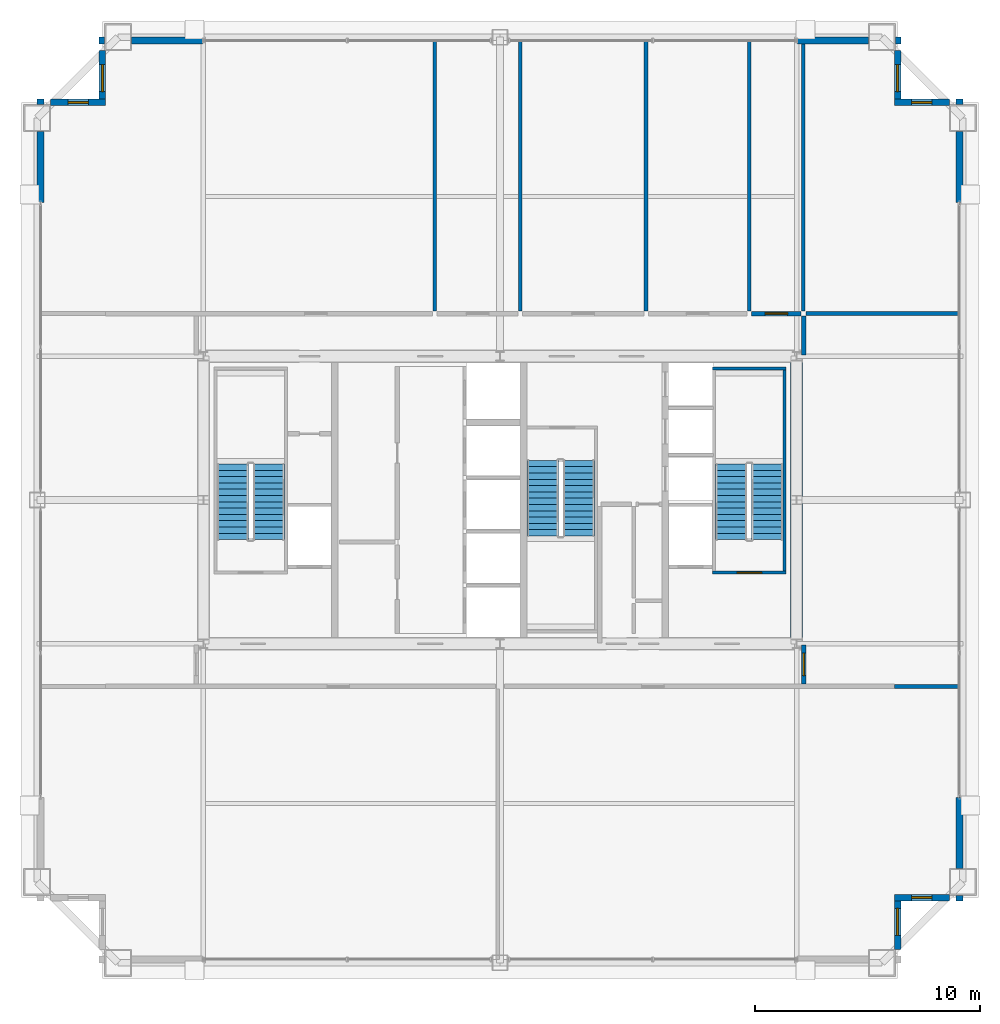
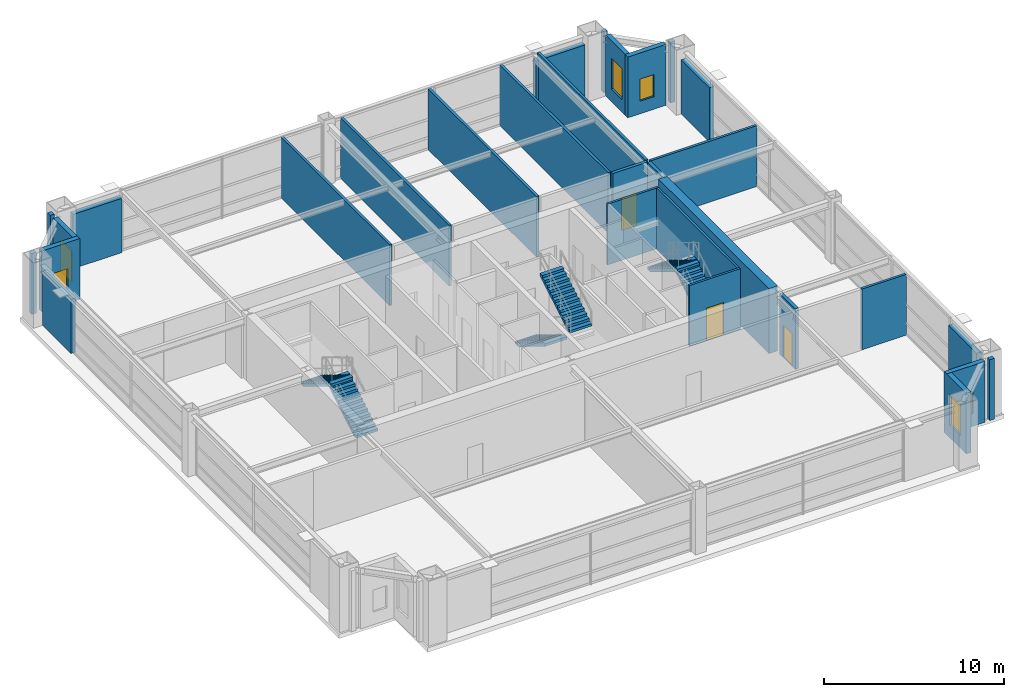
# One storey, part 25 of 26: 30 walls, 6 stair flights, 6 windows, 3 doors, 9 openings, 3 elements without a shape of their own.
"""IFC4 building model written with IfcOpenShell, lengths in metres."""

from ifc_helpers import new_model, si_unit, direction, frame, frame_2d, origin, place, context, subcontext, project, spatial, polyline, rectangle, outline, extrude, source, transform, mapped, material, layer, layer_set, type_object, element, fill, aggregate, save


model = new_model("IFC4")

# Units and contexts
model_context = context("Model", 3, precision=1e-05, world=origin(), true_north=direction((0.0, 1.0)))
body_context = subcontext(model_context, "Body", "Model", "MODEL_VIEW")
ifc_project = project(units=[si_unit("LENGTHUNIT", "METRE"), si_unit("AREAUNIT", "SQUARE_METRE"), si_unit("VOLUMEUNIT", "CUBIC_METRE"), si_unit("PLANEANGLEUNIT", "RADIAN"), si_unit("MASSUNIT", "GRAM", prefix="KILO"), si_unit("THERMODYNAMICTEMPERATUREUNIT", "KELVIN"), si_unit("POWERUNIT", "WATT")], contexts=[model_context])

# Site, building, storey
site_placement = place(None, origin())
site = spatial("IfcSite", under=ifc_project, at=site_placement, CompositionType="ELEMENT")
building_placement = place(site_placement, origin())
building = spatial("IfcBuilding", under=site, at=building_placement, Name="Yuzanri Waterfront Tower", CompositionType="ELEMENT")
storey_placement = place(building_placement, frame((0.0, 0.0, 259.10009765625)))
storey = spatial("IfcBuildingStorey", under=building, at=storey_placement, Name="L69", CompositionType="ELEMENT", Elevation=259.10009765625)

# Wall, opening, window
ifc_material_1 = material(Name="Honed Chongqing Dark Basalt Stone", Category="masonry")
ifc_layer_1 = layer(ifc_material_1, 0.300048828125)
ifc_layer_set_1 = layer_set([ifc_layer_1], Name="Honed Chongqing Dark Basalt Stone")
wall_type_1 = type_object("IfcWallType", Name="Bronze Rainscreen Insulated Spandrel Portal Wall 300", PredefinedType="SOLIDWALL", material=ifc_layer_set_1)
wall_1_placement = place(storey_placement, frame((54.550048828125, 8.10009765625, 0.0), z_axis=(0.0, 0.0, 1.0), x_axis=(1.0, 0.0, 0.0)))
wall_1 = element("IfcWall", 1, at=wall_1_placement, inside=storey, type_object=wall_type_1, Name="L69 Notched Corner Masonry Wall SE-X", PredefinedType="SOLIDWALL", context=body_context, shape_type="SweptSolid", body=[
    extrude(rectangle(XDim=2.449951171875, YDim=0.300048828125, at=frame_2d((1.22509765625, 0.0))), origin(), (0.0, 0.0, 1.0), 4.119873046875),
])
opening_1_placement = place(wall_1_placement, frame((0.77490234375, 0.0, 0.85009765625)))
opening_1 = element("IfcOpeningElement", 2, at=opening_1_placement, cuts=wall_1, Name="Opening WN-05", PredefinedType="OPENING", context=body_context, shape_type="SweptSolid", body=[
    extrude(rectangle(XDim=0.89990234375, YDim=1.5, at=frame_2d((0.449951171875, 0.75))), frame((0.0, 0.1650390625, 0.0), z_axis=(0.0, -1.0, 0.0), x_axis=(1.0, 0.0, 0.0)), (0.0, 0.0, 1.0), 0.329833984375),
])
ifc_material_2 = material(Name="Double-Silver Low-E Insulated Glass", Category="glass")
window_type_1 = type_object("IfcWindowType", Name="Anodized Bronze Service and Stairwell Smoke-Vent Window 900x1500", PartitioningType="SINGLE_PANEL", PredefinedType="WINDOW", material=ifc_material_2)
shared_shape_1 = source(origin(), body_context, "Body", "SweptSolid", [
    extrude(rectangle(XDim=0.89990234375, YDim=1.5, at=frame_2d((0.449951171875, 0.75))), frame((0.0, 0.030029296875, 0.0), z_axis=(0.0, -1.0, 0.0), x_axis=(1.0, 0.0, 0.0)), (0.0, 0.0, 1.0), 0.06005859375),
])
window_1_placement = place(opening_1_placement, origin())
window_1 = element("IfcWindow", 3, at=window_1_placement, inside=storey, type_object=window_type_1, Name="L69 Notched Corner Window SE-X", OverallHeight=1.5, OverallWidth=0.89990234375, PartitioningType="SINGLE_PANEL", PredefinedType="WINDOW", context=body_context, shape_type="MappedRepresentation", body=[
    mapped(shared_shape_1, transform((0.0, 0.0, 0.0), scale=1.0)),
])
fill(opening_1, window_1)

wall_2_placement = place(storey_placement, frame((54.699951171875, 5.800048828125, 0.0), z_axis=(0.0, 0.0, 1.0), x_axis=(0.0, 1.0, 0.0)))
wall_2 = element("IfcWall", 4, at=wall_2_placement, inside=storey, type_object=wall_type_1, Name="L69 Notched Corner Masonry Wall SE-Y", PredefinedType="SOLIDWALL", context=body_context, shape_type="SweptSolid", body=[
    extrude(rectangle(XDim=2.449951171875, YDim=0.300048828125, at=frame_2d((1.22509765625, 0.0))), origin(), (0.0, 0.0, 1.0), 4.119873046875),
])
opening_2_placement = place(wall_2_placement, frame((0.625, 0.0, 0.85009765625)))
opening_2 = element("IfcOpeningElement", 5, at=opening_2_placement, cuts=wall_2, Name="Opening WN-02", PredefinedType="OPENING", context=body_context, shape_type="SweptSolid", body=[
    extrude(rectangle(XDim=1.199951171875, YDim=2.10009765625, at=frame_2d((0.60009765625, 1.050048828125))), frame((0.0, 0.1650390625, 0.0), z_axis=(0.0, -1.0, 0.0), x_axis=(1.0, 0.0, 0.0)), (0.0, 0.0, 1.0), 0.329833984375),
])
ifc_material_3 = material(Name="Double-Silver Low-E Insulated Glass", Category="glass")
window_type_2 = type_object("IfcWindowType", Name="Anodized Bronze Notched Corner Deep-Set Slot Window 1200x2100", PartitioningType="SINGLE_PANEL", PredefinedType="WINDOW", material=ifc_material_3)
shared_shape_2 = source(origin(), body_context, "Body", "SweptSolid", [
    extrude(rectangle(XDim=1.199951171875, YDim=2.10009765625, at=frame_2d((0.60009765625, 1.050048828125))), frame((0.0, 0.030029296875, 0.0), z_axis=(0.0, -1.0, 0.0), x_axis=(1.0, 0.0, 0.0)), (0.0, 0.0, 1.0), 0.06005859375),
])
window_2_placement = place(opening_2_placement, origin())
window_2 = element("IfcWindow", 6, at=window_2_placement, inside=storey, type_object=window_type_2, Name="L69 Notched Corner Window SE-Y", OverallHeight=2.10009765625, OverallWidth=1.199951171875, PartitioningType="SINGLE_PANEL", PredefinedType="WINDOW", context=body_context, shape_type="MappedRepresentation", body=[
    mapped(shared_shape_2, transform((0.0, 0.0, 0.0), scale=1.0)),
])
fill(opening_2, window_2)

wall_3_placement = place(storey_placement, frame((19.449951171875, 43.5, 0.0), z_axis=(0.0, 0.0, 1.0), x_axis=(-1.0, 0.0, 0.0)))
wall_3 = element("IfcWall", 7, at=wall_3_placement, inside=storey, type_object=wall_type_1, Name="L69 Notched Corner Masonry Wall NW-X", PredefinedType="SOLIDWALL", context=body_context, shape_type="SweptSolid", body=[
    extrude(rectangle(XDim=2.449951171875, YDim=0.300048828125, at=frame_2d((1.22509765625, 0.0))), origin(), (0.0, 0.0, 1.0), 4.119873046875),
])
opening_3_placement = place(wall_3_placement, frame((0.77490234375, 0.0, 0.85009765625)))
opening_3 = element("IfcOpeningElement", 8, at=opening_3_placement, cuts=wall_3, Name="Opening WN-05", PredefinedType="OPENING", context=body_context, shape_type="SweptSolid", body=[
    extrude(rectangle(XDim=0.89990234375, YDim=1.5, at=frame_2d((0.449951171875, 0.75))), frame((0.0, 0.1650390625, 0.0), z_axis=(0.0, -1.0, 0.0), x_axis=(1.0, 0.0, 0.0)), (0.0, 0.0, 1.0), 0.329833984375),
])
window_3_placement = place(opening_3_placement, origin())
window_3 = element("IfcWindow", 9, at=window_3_placement, inside=storey, type_object=window_type_1, Name="L69 Notched Corner Window NW-X", OverallHeight=1.5, OverallWidth=0.89990234375, PartitioningType="SINGLE_PANEL", PredefinedType="WINDOW", context=body_context, shape_type="MappedRepresentation", body=[
    mapped(shared_shape_1, transform((0.0, 0.0, 0.0), scale=1.0)),
])
fill(opening_3, window_3)

wall_4_placement = place(storey_placement, frame((19.300048828125, 45.800048828125, 0.0), z_axis=(0.0, 0.0, 1.0), x_axis=(0.0, -1.0, 0.0)))
wall_4 = element("IfcWall", 10, at=wall_4_placement, inside=storey, type_object=wall_type_1, Name="L69 Notched Corner Masonry Wall NW-Y", PredefinedType="SOLIDWALL", context=body_context, shape_type="SweptSolid", body=[
    extrude(rectangle(XDim=2.449951171875, YDim=0.300048828125, at=frame_2d((1.22509765625, 0.0))), origin(), (0.0, 0.0, 1.0), 4.119873046875),
])
opening_4_placement = place(wall_4_placement, frame((0.625, 0.0, 0.85009765625)))
opening_4 = element("IfcOpeningElement", 11, at=opening_4_placement, cuts=wall_4, Name="Opening WN-02", PredefinedType="OPENING", context=body_context, shape_type="SweptSolid", body=[
    extrude(rectangle(XDim=1.199951171875, YDim=2.10009765625, at=frame_2d((0.60009765625, 1.050048828125))), frame((0.0, 0.1650390625, 0.0), z_axis=(0.0, -1.0, 0.0), x_axis=(1.0, 0.0, 0.0)), (0.0, 0.0, 1.0), 0.329833984375),
])
window_4_placement = place(opening_4_placement, origin())
window_4 = element("IfcWindow", 12, at=window_4_placement, inside=storey, type_object=window_type_2, Name="L69 Notched Corner Window NW-Y", OverallHeight=2.10009765625, OverallWidth=1.199951171875, PartitioningType="SINGLE_PANEL", PredefinedType="WINDOW", context=body_context, shape_type="MappedRepresentation", body=[
    mapped(shared_shape_2, transform((0.0, 0.0, 0.0), scale=1.0)),
])
fill(opening_4, window_4)

wall_5_placement = place(storey_placement, frame((57.0, 43.5, 0.0), z_axis=(0.0, 0.0, 1.0), x_axis=(-1.0, 0.0, 0.0)))
wall_5 = element("IfcWall", 13, at=wall_5_placement, inside=storey, type_object=wall_type_1, Name="L69 Notched Corner Masonry Wall NE-X", PredefinedType="SOLIDWALL", context=body_context, shape_type="SweptSolid", body=[
    extrude(rectangle(XDim=2.449951171875, YDim=0.300048828125, at=frame_2d((1.22509765625, 0.0))), origin(), (0.0, 0.0, 1.0), 4.119873046875),
])
opening_5_placement = place(wall_5_placement, frame((0.77490234375, 0.0, 0.85009765625)))
opening_5 = element("IfcOpeningElement", 14, at=opening_5_placement, cuts=wall_5, Name="Opening WN-05", PredefinedType="OPENING", context=body_context, shape_type="SweptSolid", body=[
    extrude(rectangle(XDim=0.89990234375, YDim=1.5, at=frame_2d((0.449951171875, 0.75))), frame((0.0, 0.1650390625, 0.0), z_axis=(0.0, -1.0, 0.0), x_axis=(1.0, 0.0, 0.0)), (0.0, 0.0, 1.0), 0.329833984375),
])
window_5_placement = place(opening_5_placement, origin())
window_5 = element("IfcWindow", 15, at=window_5_placement, inside=storey, type_object=window_type_1, Name="L69 Notched Corner Window NE-X", OverallHeight=1.5, OverallWidth=0.89990234375, PartitioningType="SINGLE_PANEL", PredefinedType="WINDOW", context=body_context, shape_type="MappedRepresentation", body=[
    mapped(shared_shape_1, transform((0.0, 0.0, 0.0), scale=1.0)),
])
fill(opening_5, window_5)

wall_6_placement = place(storey_placement, frame((54.699951171875, 43.35009765625, 0.0), z_axis=(0.0, 0.0, 1.0), x_axis=(0.0, 1.0, 0.0)))
wall_6 = element("IfcWall", 16, at=wall_6_placement, inside=storey, type_object=wall_type_1, Name="L69 Notched Corner Masonry Wall NE-Y", PredefinedType="SOLIDWALL", context=body_context, shape_type="SweptSolid", body=[
    extrude(rectangle(XDim=2.449951171875, YDim=0.300048828125, at=frame_2d((1.22509765625, 0.0))), origin(), (0.0, 0.0, 1.0), 4.119873046875),
])
opening_6_placement = place(wall_6_placement, frame((0.625, 0.0, 0.85009765625)))
opening_6 = element("IfcOpeningElement", 17, at=opening_6_placement, cuts=wall_6, Name="Opening WN-02", PredefinedType="OPENING", context=body_context, shape_type="SweptSolid", body=[
    extrude(rectangle(XDim=1.199951171875, YDim=2.10009765625, at=frame_2d((0.60009765625, 1.050048828125))), frame((0.0, 0.1650390625, 0.0), z_axis=(0.0, -1.0, 0.0), x_axis=(1.0, 0.0, 0.0)), (0.0, 0.0, 1.0), 0.329833984375),
])
window_6_placement = place(opening_6_placement, origin())
window_6 = element("IfcWindow", 18, at=window_6_placement, inside=storey, type_object=window_type_2, Name="L69 Notched Corner Window NE-Y", OverallHeight=2.10009765625, OverallWidth=1.199951171875, PartitioningType="SINGLE_PANEL", PredefinedType="WINDOW", context=body_context, shape_type="MappedRepresentation", body=[
    mapped(shared_shape_2, transform((0.0, 0.0, 0.0), scale=1.0)),
])
fill(opening_6, window_6)

# Wall, opening, door
ifc_material_4 = material(Name="Concrete C40", Category="concrete")
ifc_layer_2 = layer(ifc_material_4, 0.139892578125)
ifc_layer_set_2 = layer_set([ifc_layer_2], Name="Concrete C40")
wall_type_2 = type_object("IfcWallType", Name="Core Stair Liner and Hoistway Shaft Wall 140", PredefinedType="SOLIDWALL", material=ifc_layer_set_2)
wall_7_placement = place(storey_placement, frame((46.4599609375, 22.570068359375, 0.0), z_axis=(0.0, 0.0, 1.0), x_axis=(1.0, 0.0, 0.0)))
wall_7 = element("IfcWall", 19, at=wall_7_placement, inside=storey, type_object=wall_type_2, Name="L69 Shaft Wall STW-L69-ST-02-S", PredefinedType="SOLIDWALL", context=body_context, shape_type="SweptSolid", body=[
    extrude(rectangle(XDim=3.280029296875, YDim=0.139892578125, at=frame_2d((1.64013671875, 0.0))), origin(), (0.0, 0.0, 1.0), 4.119873046875),
])
opening_7_placement = place(wall_7_placement, frame((1.090087890625, 0.0, 0.0)))
opening_7 = element("IfcOpeningElement", 20, at=opening_7_placement, cuts=wall_7, Name="Opening FD-1100", PredefinedType="OPENING", context=body_context, shape_type="SweptSolid", body=[
    extrude(rectangle(XDim=1.10009765625, YDim=2.199951171875, at=frame_2d((0.550048828125, 1.10009765625))), frame((0.0, 0.0849609375, 0.0), z_axis=(0.0, -1.0, 0.0), x_axis=(1.0, 0.0, 0.0)), (0.0, 0.0, 1.0), 0.169677734375),
])
ifc_material_5 = material(Name="Painted Galvanized Fire Steel", Category="steel")
door_type_1 = type_object("IfcDoorType", Name="Smoke-Proof Stair and Lobby Fire Door 1100x2200", OperationType="NOTDEFINED", PredefinedType="DOOR", material=ifc_material_5)
shared_shape_3 = source(origin(), body_context, "Body", "SweptSolid", [
    extrude(rectangle(XDim=1.10009765625, YDim=2.199951171875, at=frame_2d((0.550048828125, 1.10009765625))), frame((0.0, 0.02490234375, 0.0), z_axis=(0.0, -1.0, 0.0), x_axis=(1.0, 0.0, 0.0)), (0.0, 0.0, 1.0), 0.050048828125),
])
door_1_placement = place(opening_7_placement, origin())
door_1 = element("IfcDoor", 21, at=door_1_placement, inside=storey, type_object=door_type_1, Name="L69 Stair ST-02 Fire Door", OperationType="SINGLE_SWING_RIGHT", OverallHeight=2.199951171875, OverallWidth=1.10009765625, PredefinedType="DOOR", context=body_context, shape_type="MappedRepresentation", body=[
    mapped(shared_shape_3, transform((0.0, 0.0, 0.0), scale=1.0)),
])
fill(opening_7, door_1)

ifc_material_6 = material(Name="Autoclaved Aerated Concrete Blockwork", Category="masonry")
ifc_layer_3 = layer(ifc_material_6, 0.199951171875)
ifc_layer_set_3 = layer_set([ifc_layer_3], Name="Autoclaved Aerated Concrete Blockwork")
wall_type_3 = type_object("IfcWallType", Name="Corridor and Unit Party Fire Wall 200", PredefinedType="PARTITIONING", material=ifc_layer_set_3)
wall_8_placement = place(storey_placement, frame((50.52001953125, 17.610107421875, 0.0), z_axis=(0.0, 0.0, 1.0), x_axis=(0.0, 1.0, 0.0)))
wall_8 = element("IfcWall", 22, at=wall_8_placement, inside=storey, type_object=wall_type_3, Name="L69 Partition SLW-L69-021-WC", PredefinedType="PARTITIONING", context=body_context, shape_type="SweptSolid", body=[
    extrude(rectangle(XDim=1.739990234375, YDim=0.199951171875, at=frame_2d((0.8701171875, 0.0))), origin(), (0.0, 0.0, 1.0), 4.119873046875),
])
opening_8_placement = place(wall_8_placement, frame((0.3701171875, 0.0, 0.0)))
opening_8 = element("IfcOpeningElement", 23, at=opening_8_placement, cuts=wall_8, Name="Opening FD-1000", PredefinedType="OPENING", context=body_context, shape_type="SweptSolid", body=[
    extrude(rectangle(XDim=1.0, YDim=2.199951171875, at=frame_2d((0.5, 1.10009765625))), frame((0.0, 0.11474609375, 0.0), z_axis=(0.0, -1.0, 0.0), x_axis=(1.0, 0.0, 0.0)), (0.0, 0.0, 1.0), 0.229736328125),
])
ifc_material_7 = material(Name="Engineered Oak Fire-Rated Timber", Category="wood")
door_type_2 = type_object("IfcDoorType", Name="Guestroom and Apartment Entrance Fire Door 1000x2200", OperationType="NOTDEFINED", PredefinedType="DOOR", material=ifc_material_7)
shared_shape_4 = source(origin(), body_context, "Body", "SweptSolid", [
    extrude(rectangle(XDim=1.0, YDim=2.199951171875, at=frame_2d((0.5, 1.10009765625))), frame((0.0, 0.02490234375, 0.0), z_axis=(0.0, -1.0, 0.0), x_axis=(1.0, 0.0, 0.0)), (0.0, 0.0, 1.0), 0.050048828125),
])
door_2_placement = place(opening_8_placement, origin())
door_2 = element("IfcDoor", 24, at=door_2_placement, inside=storey, type_object=door_type_2, Name="L69 Sky Yoga and Fitness Gymnasium", OperationType="SINGLE_SWING_RIGHT", OverallHeight=2.199951171875, OverallWidth=1.0, PredefinedType="DOOR", context=body_context, shape_type="MappedRepresentation", body=[
    mapped(shared_shape_4, transform((0.0, 0.0, 0.0), scale=1.0)),
])
fill(opening_8, door_2)

wall_9_placement = place(storey_placement, frame((48.199951171875, 34.10009765625, 0.0), z_axis=(0.0, 0.0, 1.0), x_axis=(1.0, 0.0, 0.0)))
wall_9 = element("IfcWall", 25, at=wall_9_placement, inside=storey, type_object=wall_type_3, Name="L69 Partition SLW-L69-026-S", PredefinedType="PARTITIONING", context=body_context, shape_type="SweptSolid", body=[
    extrude(rectangle(XDim=2.199951171875, YDim=0.199951171875, at=frame_2d((1.10009765625, 0.0))), origin(), (0.0, 0.0, 1.0), 4.119873046875),
])
opening_9_placement = place(wall_9_placement, frame((0.60009765625, 0.0, 0.0)))
opening_9 = element("IfcOpeningElement", 26, at=opening_9_placement, cuts=wall_9, Name="Opening FD-1000", PredefinedType="OPENING", context=body_context, shape_type="SweptSolid", body=[
    extrude(rectangle(XDim=1.0, YDim=2.199951171875, at=frame_2d((0.5, 1.10009765625))), frame((0.0, 0.11474609375, 0.0), z_axis=(0.0, -1.0, 0.0), x_axis=(1.0, 0.0, 0.0)), (0.0, 0.0, 1.0), 0.229736328125),
])
door_3_placement = place(opening_9_placement, origin())
door_3 = element("IfcDoor", 27, at=door_3_placement, inside=storey, type_object=door_type_2, Name="L69 Accessible WC", OperationType="SINGLE_SWING_LEFT", OverallHeight=2.199951171875, OverallWidth=1.0, PredefinedType="DOOR", context=body_context, shape_type="MappedRepresentation", body=[
    mapped(shared_shape_4, transform((0.0, 0.0, 0.0), scale=1.0)),
])
fill(opening_9, door_3)

# Walls
ifc_material_8 = material(Name="Concrete C50", Category="concrete")
ifc_layer_4 = layer(ifc_material_8, 0.550048828125)
ifc_layer_set_4 = layer_set([ifc_layer_4], Name="Concrete C50")
wall_type_4 = type_object("IfcWallType", Name="Concrete C50 Upper-Mid Zone Core Shear Wall 550", PredefinedType="SHEAR", material=ifc_layer_set_4)
shared_shape_5 = source(origin(), body_context, "Body", "SweptSolid", [
    extrude(rectangle(XDim=12.25, YDim=0.550048828125, at=frame_2d((6.125, 0.0))), origin(), (0.0, 0.0, 1.0), 4.39990234375),
])
wall_10_placement = place(storey_placement, frame((50.199951171875, 19.675048828125, 0.0), z_axis=(0.0, 0.0, 1.0), x_axis=(0.0, 1.0, 0.0)))
element("IfcWall", 28, at=wall_10_placement, inside=storey, type_object=wall_type_4, Name="L69 Core East Shear Wall", PredefinedType="SHEAR", context=body_context, shape_type="MappedRepresentation", body=[
    mapped(shared_shape_5, transform((0.0, 0.0, 0.0), scale=1.0)),
])
shared_shape_6 = source(origin(), body_context, "Body", "SweptSolid", [
    extrude(rectangle(XDim=0.25, YDim=0.300048828125, at=frame_2d((0.125, 0.0))), origin(), (0.0, 0.0, 1.0), 4.119873046875),
])
for number, where, z_axis, x_axis, name in (
    (29, (19.14990234375, 46.25, 0.0), (0.0, 0.0, 1.0), (1.0, 0.0, 0.0), "L69 Corner Column Shoulder Return CNW"),
    (30, (54.60009765625, 46.25, 0.0), (0.0, 0.0, 1.0), (1.0, 0.0, 0.0), "L69 Corner Column Shoulder Return CNE"),
    (31, (16.550048828125, 43.39990234375, 0.0), (0.0, 0.0, 1.0), (0.0, 1.0, 0.0), "L69 Corner Column Shoulder Return CWN"),
    (32, (57.449951171875, 7.949951171875, 0.0), (0.0, 0.0, 1.0), (0.0, 1.0, 0.0), "L69 Corner Column Shoulder Return CES"),
    (33, (57.449951171875, 43.39990234375, 0.0), (0.0, 0.0, 1.0), (0.0, 1.0, 0.0), "L69 Corner Column Shoulder Return CEN"),
):
    element("IfcWall", number, at=place(storey_placement, frame(where, z_axis=z_axis, x_axis=x_axis)), inside=storey, type_object=wall_type_1, Name=name, PredefinedType="SOLIDWALL", context=body_context, shape_type="MappedRepresentation", body=[
        mapped(shared_shape_6, transform((0.0, 0.0, 0.0), scale=1.0)),
    ])
shared_shape_7 = source(origin(), body_context, "Body", "SweptSolid", [
    extrude(rectangle(XDim=3.14990234375, YDim=0.300048828125, at=frame_2d((1.574951171875, 0.0))), origin(), (0.0, 0.0, 1.0), 3.6748046875),
])
for number, where, z_axis, x_axis, name in (
    (34, (20.60009765625, 46.25, 0.0), (0.0, 0.0, 1.0), (1.0, 0.0, 0.0), "L69 N Left Braced Masonry Shoulder"),
    (35, (50.25, 46.25, 0.0), (0.0, 0.0, 1.0), (1.0, 0.0, 0.0), "L69 N Right Braced Masonry Shoulder"),
    (36, (16.550048828125, 39.050048828125, 0.0), (0.0, 0.0, 1.0), (0.0, 1.0, 0.0), "L69 W Right Braced Masonry Shoulder"),
    (37, (57.449951171875, 39.050048828125, 0.0), (0.0, 0.0, 1.0), (0.0, 1.0, 0.0), "L69 E Right Braced Masonry Shoulder"),
):
    element("IfcWall", number, at=place(storey_placement, frame(where, z_axis=z_axis, x_axis=x_axis)), inside=storey, type_object=wall_type_1, Name=name, PredefinedType="SOLIDWALL", context=body_context, shape_type="MappedRepresentation", body=[
        mapped(shared_shape_7, transform((0.0, 0.0, 0.0), scale=1.0)),
    ])
shared_shape_8 = source(origin(), body_context, "Body", "SweptSolid", [
    extrude(rectangle(XDim=3.150146484375, YDim=0.300048828125, at=frame_2d((1.5751953125, 0.0))), origin(), (0.0, 0.0, 1.0), 3.6748046875),
])
wall_11_placement = place(storey_placement, frame((57.449951171875, 9.39990234375, 0.0), z_axis=(0.0, 0.0, 1.0), x_axis=(0.0, 1.0, 0.0)))
element("IfcWall", 38, at=wall_11_placement, inside=storey, type_object=wall_type_1, Name="L69 E Left Braced Masonry Shoulder", PredefinedType="SOLIDWALL", context=body_context, shape_type="MappedRepresentation", body=[
    mapped(shared_shape_8, transform((0.0, 0.0, 0.0), scale=1.0)),
])
shared_shape_9 = source(origin(), body_context, "Body", "SweptSolid", [
    extrude(rectangle(XDim=3.280029296875, YDim=0.139892578125, at=frame_2d((1.64013671875, 0.0))), origin(), (0.0, 0.0, 1.0), 4.119873046875),
])
wall_12_placement = place(storey_placement, frame((46.4599609375, 31.64990234375, 0.0), z_axis=(0.0, 0.0, 1.0), x_axis=(1.0, 0.0, 0.0)))
element("IfcWall", 39, at=wall_12_placement, inside=storey, type_object=wall_type_2, Name="L69 Stair ST-02 North Shaft Wall", PredefinedType="SOLIDWALL", context=body_context, shape_type="MappedRepresentation", body=[
    mapped(shared_shape_9, transform((0.0, 0.0, 0.0), scale=1.0)),
])
shared_shape_10 = source(origin(), body_context, "Body", "SweptSolid", [
    extrude(rectangle(XDim=8.940185546875, YDim=0.139892578125, at=frame_2d((4.47021484375, 0.0))), origin(), (0.0, 0.0, 1.0), 4.119873046875),
])
wall_13_placement = place(storey_placement, frame((49.669921875, 22.639892578125, 0.0), z_axis=(0.0, 0.0, 1.0), x_axis=(0.0, 1.0, 0.0)))
element("IfcWall", 40, at=wall_13_placement, inside=storey, type_object=wall_type_2, Name="L69 Stair ST-02 East Shaft Wall", PredefinedType="SOLIDWALL", context=body_context, shape_type="MappedRepresentation", body=[
    mapped(shared_shape_10, transform((0.0, 0.0, 0.0), scale=1.0)),
])
shared_shape_11 = source(origin(), body_context, "Body", "SweptSolid", [
    extrude(rectangle(XDim=1.739990234375, YDim=0.199951171875, at=frame_2d((0.8701171875, 0.0))), origin(), (0.0, 0.0, 1.0), 4.119873046875),
])
wall_14_placement = place(storey_placement, frame((50.52001953125, 32.25, 0.0), z_axis=(0.0, 0.0, 1.0), x_axis=(0.0, 1.0, 0.0)))
element("IfcWall", 41, at=wall_14_placement, inside=storey, type_object=wall_type_3, Name="L69-021 North Gallery Closure", PredefinedType="PARTITIONING", context=body_context, shape_type="MappedRepresentation", body=[
    mapped(shared_shape_11, transform((0.0, 0.0, 0.0), scale=1.0)),
])
ifc_material_9 = material(Name="Gypsum Fireboard Acoustic Stud Wall", Category="gypsum")
ifc_layer_5 = layer(ifc_material_9, 0.159912109375)
ifc_layer_set_5 = layer_set([ifc_layer_5], Name="Gypsum Fireboard Acoustic Stud Wall")
wall_type_5 = type_object("IfcWallType", Name="Acoustic Suite Demising Partition 160", PredefinedType="PARTITIONING", material=ifc_layer_set_5)
shared_shape_12 = source(origin(), body_context, "Body", "SweptSolid", [
    extrude(rectangle(XDim=2.8798828125, YDim=0.159912109375, at=frame_2d((1.43994140625, 0.0))), origin(), (0.0, 0.0, 1.0), 4.119873046875),
])
wall_15_placement = place(storey_placement, frame((54.570068359375, 17.5, 0.0), z_axis=(0.0, 0.0, 1.0), x_axis=(1.0, 0.0, 0.0)))
element("IfcWall", 42, at=wall_15_placement, inside=storey, type_object=wall_type_5, Name="L69-021 South Wing Wall", PredefinedType="PARTITIONING", context=body_context, shape_type="MappedRepresentation", body=[
    mapped(shared_shape_12, transform((0.0, 0.0, 0.0), scale=1.0)),
])
shared_shape_13 = source(origin(), body_context, "Body", "SweptSolid", [
    extrude(rectangle(XDim=6.829833984375, YDim=0.159912109375, at=frame_2d((3.4150390625, 0.0))), origin(), (0.0, 0.0, 1.0), 4.119873046875),
])
wall_16_placement = place(storey_placement, frame((50.6201171875, 34.10009765625, 0.0), z_axis=(0.0, 0.0, 1.0), x_axis=(1.0, 0.0, 0.0)))
element("IfcWall", 43, at=wall_16_placement, inside=storey, type_object=wall_type_5, Name="L69-021 North Wing Wall", PredefinedType="PARTITIONING", context=body_context, shape_type="MappedRepresentation", body=[
    mapped(shared_shape_13, transform((0.0, 0.0, 0.0), scale=1.0)),
])
shared_shape_14 = source(origin(), body_context, "Body", "SweptSolid", [
    extrude(rectangle(XDim=12.0400390625, YDim=0.159912109375, at=frame_2d((6.02001953125, 0.0))), origin(), (0.0, 0.0, 1.0), 4.119873046875),
])
for number, where, z_axis, x_axis, name in (
    (44, (34.10009765625, 34.2099609375, 0.0), (0.0, 0.0, 1.0), (0.0, 1.0, 0.0), "L69-022 Demising Wall"),
    (45, (37.89990234375, 34.2099609375, 0.0), (0.0, 0.0, 1.0), (0.0, 1.0, 0.0), "L69-023 Demising Wall"),
    (46, (43.5, 34.2099609375, 0.0), (0.0, 0.0, 1.0), (0.0, 1.0, 0.0), "L69-024 Demising Wall"),
    (47, (48.10009765625, 34.2099609375, 0.0), (0.0, 0.0, 1.0), (0.0, 1.0, 0.0), "L69-025 Demising Wall"),
    (48, (50.5, 34.2099609375, 0.0), (0.0, 0.0, 1.0), (0.0, 1.0, 0.0), "L69-026 Demising Wall"),
):
    element("IfcWall", number, at=place(storey_placement, frame(where, z_axis=z_axis, x_axis=x_axis)), inside=storey, type_object=wall_type_5, Name=name, PredefinedType="PARTITIONING", context=body_context, shape_type="MappedRepresentation", body=[
        mapped(shared_shape_14, transform((0.0, 0.0, 0.0), scale=1.0)),
    ])

# Stair, stair flights
ifc_material_10 = material(Name="Concrete C40", Category="concrete")
stair_type = type_object("IfcStairType", Name="Concrete C40 Core Dogleg Exit Stair", PredefinedType="HALF_TURN_STAIR", material=ifc_material_10)
stair_1_placement = place(storey_placement, origin())
stair_1 = element("IfcStair", 49, at=stair_1_placement, inside=storey, type_object=stair_type, Name="L69 Smoke-Proof Core Stair ST-01", PredefinedType="HALF_TURN_STAIR")
ifc_material_11 = material(Name="Concrete C40", Category="concrete")
stair_flight_type = type_object("IfcStairFlightType", Name="Concrete C40 Tall-Storey Precast Stair Flight 1380", PredefinedType="STRAIGHT", material=ifc_material_11)
shared_shape_15 = source(origin(), body_context, "Body", "SweptSolid", [
    extrude(outline(polyline([(0.0, 0.0), (0.0, 0.169189453125), (0.280029296875, 0.169189453125), (0.280029296875, 0.33837890625), (0.56005859375, 0.33837890625), (0.56005859375, 0.5078125), (0.840087890625, 0.5078125), (0.840087890625, 0.677001953125), (1.1201171875, 0.677001953125), (1.1201171875, 0.84619140625), (1.39990234375, 0.84619140625), (1.39990234375, 1.015380859375), (1.679931640625, 1.015380859375), (1.679931640625, 1.1845703125), (1.9599609375, 1.1845703125), (1.9599609375, 1.353759765625), (2.239990234375, 1.353759765625), (2.239990234375, 1.523193359375), (2.52001953125, 1.523193359375), (2.52001953125, 1.6923828125), (2.800048828125, 1.6923828125), (2.800048828125, 1.861572265625), (3.080078125, 1.861572265625), (3.080078125, 2.03076171875), (3.360107421875, 2.03076171875), (3.360107421875, 2.199951171875), (3.360107421875, 1.855712890625), (0.289794921875, 0.0), (0.0, 0.0)])), frame((0.0, 0.699951171875, 0.0), z_axis=(0.0, -1.0, 0.0), x_axis=(1.0, 0.0, 0.0)), (0.0, 0.0, 1.0), 1.39990234375),
])
stair_flight_1_placement = place(storey_placement, frame((26.699951171875, 24.0400390625, 0.0), z_axis=(0.0, 0.0, 1.0), x_axis=(0.0, 1.0, 0.0)))
stair_flight_1 = element("IfcStairFlight", 50, at=stair_flight_1_placement, type_object=stair_flight_type, Name="ST-01 flight 1", NumberOfRisers=13, NumberOfTreads=12, PredefinedType="STRAIGHT", RiserHeight=0.169230769, TreadLength=0.28, context=body_context, shape_type="MappedRepresentation", body=[
    mapped(shared_shape_15, transform((0.0, 0.0, 0.0), scale=1.0)),
])
stair_flight_2_placement = place(storey_placement, frame((25.10009765625, 27.39990234375, 2.199951171875), z_axis=(0.0, 0.0, 1.0), x_axis=(0.0, -1.0, 0.0)))
stair_flight_2 = element("IfcStairFlight", 51, at=stair_flight_2_placement, type_object=stair_flight_type, Name="ST-01 flight 2", NumberOfRisers=13, NumberOfTreads=12, PredefinedType="STRAIGHT", RiserHeight=0.169230769, TreadLength=0.28, context=body_context, shape_type="MappedRepresentation", body=[
    mapped(shared_shape_15, transform((0.0, 0.0, 0.0), scale=1.0)),
])
aggregate(stair_1, [stair_flight_1, stair_flight_2])

stair_2_placement = place(storey_placement, origin())
stair_2 = element("IfcStair", 52, at=stair_2_placement, inside=storey, type_object=stair_type, Name="L69 Smoke-Proof Core Stair ST-02", PredefinedType="HALF_TURN_STAIR")
stair_flight_3_placement = place(storey_placement, frame((48.89990234375, 24.0400390625, 0.0), z_axis=(0.0, 0.0, 1.0), x_axis=(0.0, 1.0, 0.0)))
stair_flight_3 = element("IfcStairFlight", 53, at=stair_flight_3_placement, type_object=stair_flight_type, Name="ST-02 flight 1", NumberOfRisers=13, NumberOfTreads=12, PredefinedType="STRAIGHT", RiserHeight=0.169230769, TreadLength=0.28, context=body_context, shape_type="MappedRepresentation", body=[
    mapped(shared_shape_15, transform((0.0, 0.0, 0.0), scale=1.0)),
])
stair_flight_4_placement = place(storey_placement, frame((47.300048828125, 27.39990234375, 2.199951171875), z_axis=(0.0, 0.0, 1.0), x_axis=(0.0, -1.0, 0.0)))
stair_flight_4 = element("IfcStairFlight", 54, at=stair_flight_4_placement, type_object=stair_flight_type, Name="ST-02 flight 2", NumberOfRisers=13, NumberOfTreads=12, PredefinedType="STRAIGHT", RiserHeight=0.169230769, TreadLength=0.28, context=body_context, shape_type="MappedRepresentation", body=[
    mapped(shared_shape_15, transform((0.0, 0.0, 0.0), scale=1.0)),
])
aggregate(stair_2, [stair_flight_3, stair_flight_4])

stair_3_placement = place(storey_placement, origin())
stair_3 = element("IfcStair", 55, at=stair_3_placement, inside=storey, type_object=stair_type, Name="L69 Smoke-Proof Core Stair ST-03", PredefinedType="HALF_TURN_STAIR")
stair_flight_5_placement = place(storey_placement, frame((38.89990234375, 27.56005859375, 0.0), z_axis=(0.0, 0.0, 1.0), x_axis=(0.0, -1.0, 0.0)))
stair_flight_5 = element("IfcStairFlight", 56, at=stair_flight_5_placement, type_object=stair_flight_type, Name="ST-03 flight 1", NumberOfRisers=13, NumberOfTreads=12, PredefinedType="STRAIGHT", RiserHeight=0.169230769, TreadLength=0.28, context=body_context, shape_type="MappedRepresentation", body=[
    mapped(shared_shape_15, transform((0.0, 0.0, 0.0), scale=1.0)),
])
stair_flight_6_placement = place(storey_placement, frame((40.5, 24.199951171875, 2.199951171875), z_axis=(0.0, 0.0, 1.0), x_axis=(0.0, 1.0, 0.0)))
stair_flight_6 = element("IfcStairFlight", 57, at=stair_flight_6_placement, type_object=stair_flight_type, Name="ST-03 flight 2", NumberOfRisers=13, NumberOfTreads=12, PredefinedType="STRAIGHT", RiserHeight=0.169230769, TreadLength=0.28, context=body_context, shape_type="MappedRepresentation", body=[
    mapped(shared_shape_15, transform((0.0, 0.0, 0.0), scale=1.0)),
])
aggregate(stair_3, [stair_flight_5, stair_flight_6])

save(model, "model.ifc")
